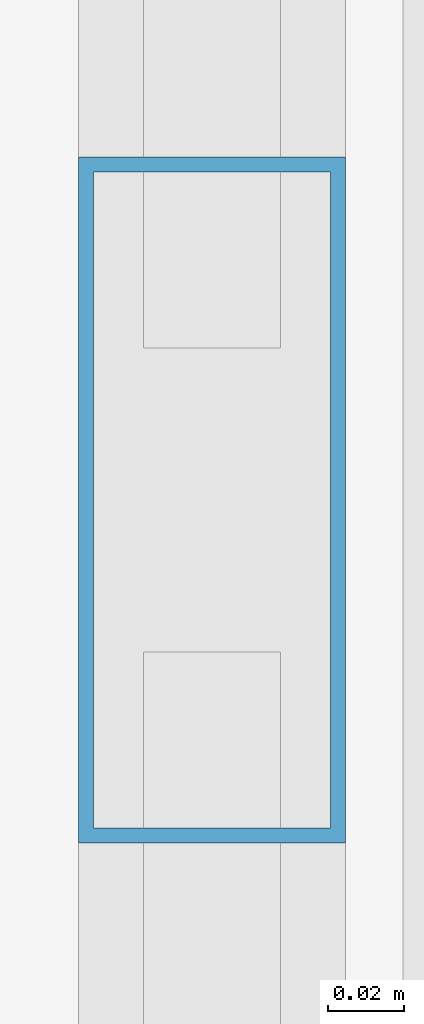
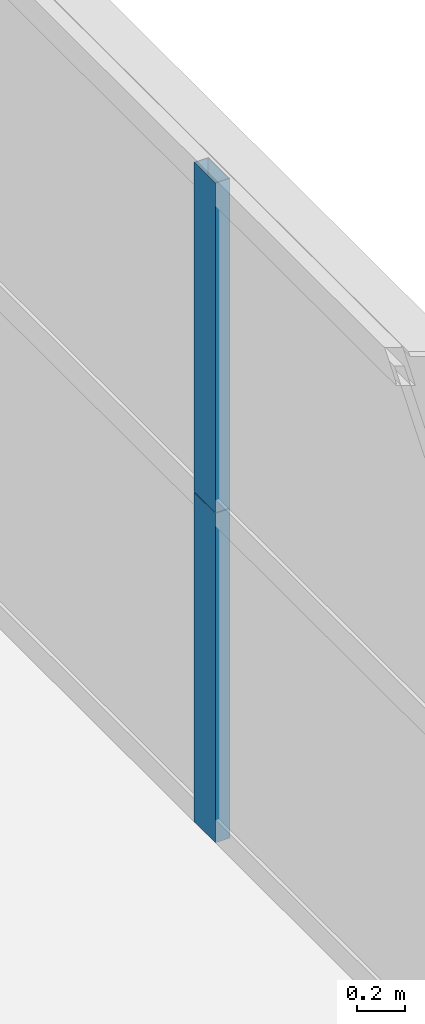
# One storey, part 17 of 38: 2 members, 1 element without a shape of its own.
"""IFC4 building model written with IfcOpenShell, lengths in metres."""

from ifc_helpers import new_model, si_unit, direction, frame, origin, origin_2d, place, context, subcontext, project, spatial, hollow_rectangle, extrude, source, transform, mapped, material, layer, layer_set, material_profile, profile_set, type_object, element, aggregate, save


model = new_model("IFC4")

# Units and contexts
model_context = context("Model", 3, precision=1e-05, world=origin(), true_north=direction((0.0, 1.0)))
body_context = subcontext(model_context, "Body", "Model", "MODEL_VIEW")
ifc_project = project(units=[si_unit("LENGTHUNIT", "METRE"), si_unit("AREAUNIT", "SQUARE_METRE"), si_unit("VOLUMEUNIT", "CUBIC_METRE"), si_unit("PLANEANGLEUNIT", "RADIAN"), si_unit("MASSUNIT", "GRAM", prefix="KILO"), si_unit("THERMODYNAMICTEMPERATUREUNIT", "KELVIN"), si_unit("POWERUNIT", "WATT")], contexts=[model_context])

# Site, building, storey
site_placement = place(None, origin())
site = spatial("IfcSite", under=ifc_project, at=site_placement, CompositionType="ELEMENT")
building_placement = place(site_placement, origin())
building = spatial("IfcBuilding", under=site, at=building_placement, Name="Yuzanri Waterfront Tower", CompositionType="ELEMENT")
storey_placement = place(building_placement, frame((0.0, 0.0, 119.0)))
storey = spatial("IfcBuildingStorey", under=building, at=storey_placement, Name="L31", CompositionType="ELEMENT", Elevation=119.0)

# Curtain wall, members
ifc_material_1 = material(Name="Anodized Architectural Bronze", Category="metal")
ifc_layer = layer(ifc_material_1, 0.159912109375)
ifc_layer_set = layer_set([ifc_layer], Name="Anodized Architectural Bronze")
curtain_wall_type = type_object("IfcCurtainWallType", Name="Anodized Bronze Hotel Upper-Tier Solar-Control Unitized Curtain Wall 7800", PredefinedType="NOTDEFINED", material=ifc_layer_set)
curtain_wall_placement = place(storey_placement, origin())
curtain_wall = element("IfcCurtainWall", 1, at=curtain_wall_placement, inside=storey, type_object=curtain_wall_type, Name="L31 Curtain Wall CW-L31-EL", PredefinedType="NOTDEFINED")
ifc_material_2 = material(Name="Anodized Architectural Bronze", Category="metal")
ifc_material_profile = material_profile(ifc_material_2, hollow_rectangle(XDim=0.070068359375, YDim=0.179931640625, WallThickness=0.00390625, at=origin_2d()), Name="CWM 70x180")
ifc_profile_set = profile_set([ifc_material_profile], Name="Anodized Architectural Bronze")
member_type = type_object("IfcMemberType", Name="Anodized Bronze Standard Curtain-Wall Mullion 70x180", PredefinedType="MULLION", material=ifc_profile_set)
shared_shape = source(origin(), body_context, "Body", "SweptSolid", [
    extrude(hollow_rectangle(XDim=0.070068359375, YDim=0.179931640625, WallThickness=0.00390625, at=origin_2d()), origin(), (0.0, 0.0, 1.0), 1.68798828125),
])
member_1_placement = place(storey_placement, frame((60.449951171875, 17.449951171875, 0.0), z_axis=(0.0, 0.0, 1.0), x_axis=(1.0, 0.0, 0.0)))
member_1 = element("IfcMember", 2, at=member_1_placement, type_object=member_type, Name="CW-L31-EL Lower Mullion 01", PredefinedType="MULLION", context=body_context, shape_type="MappedRepresentation", body=[
    mapped(shared_shape, transform((0.0, 0.0, 0.0), scale=1.0)),
])
member_2_placement = place(storey_placement, frame((60.449951171875, 17.449951171875, 1.69189453125), z_axis=(0.0, 0.0, 1.0), x_axis=(1.0, 0.0, 0.0)))
member_2 = element("IfcMember", 3, at=member_2_placement, type_object=member_type, Name="CW-L31-EL Upper Mullion 01", PredefinedType="MULLION", context=body_context, shape_type="MappedRepresentation", body=[
    mapped(shared_shape, transform((0.0, 0.0, 0.0), scale=1.0)),
])
aggregate(curtain_wall, [member_1, member_2])

save(model, "model.ifc")
